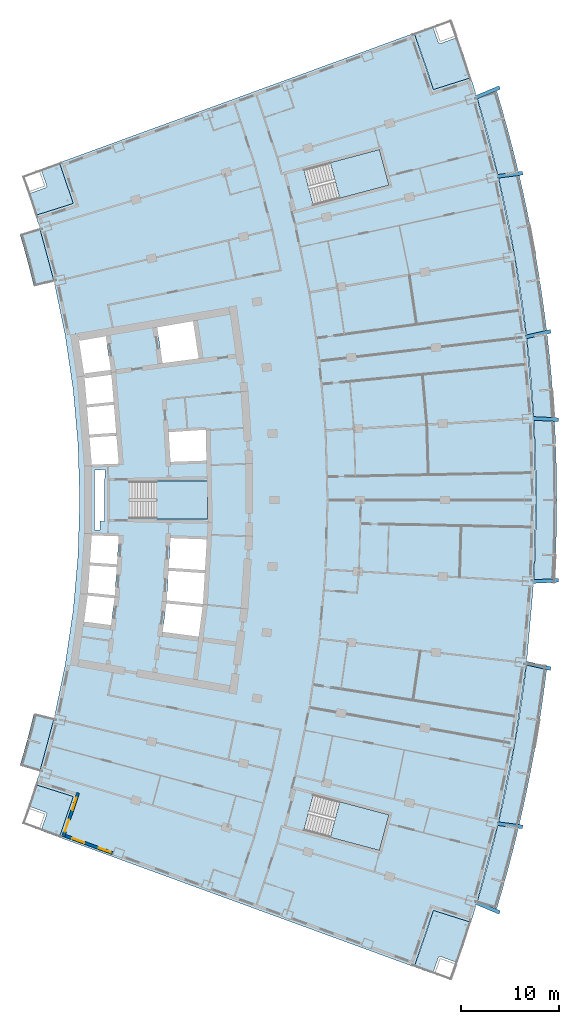
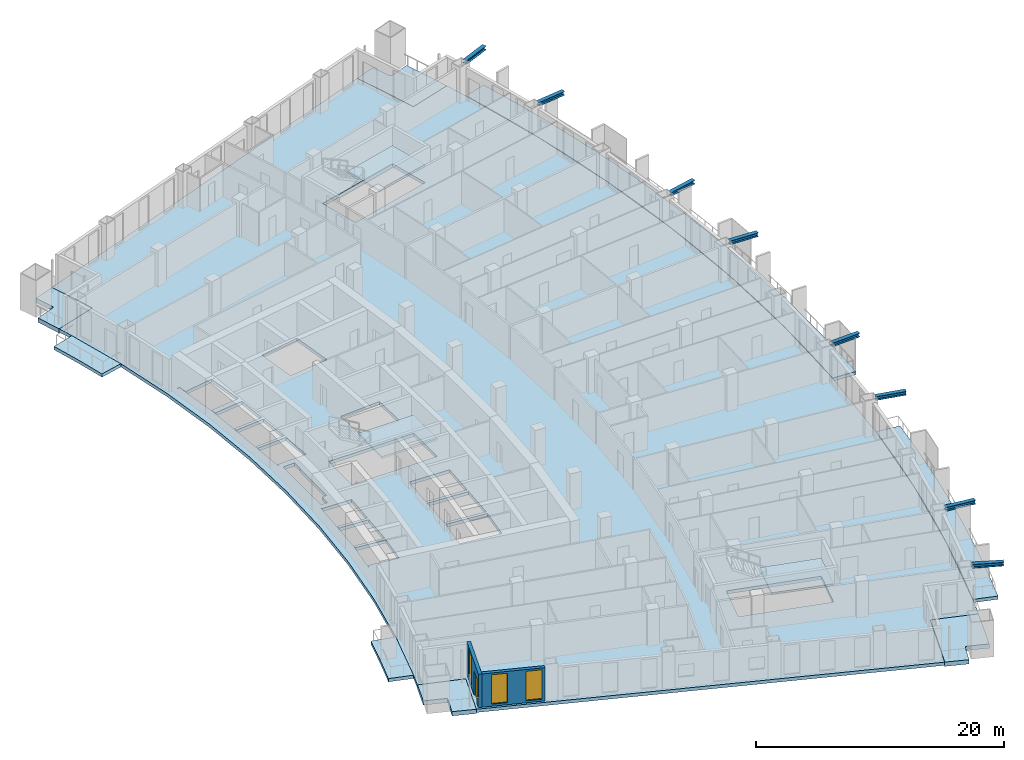
# One storey, part 12 of 25: 12 slabs, 8 members, 3 windows, 2 walls, 1 door, 4 openings, 3 elements without a shape of their own.
"""IFC4 building model written with IfcOpenShell, lengths in metres."""

from ifc_helpers import new_model, si_unit, direction, frame, frame_2d, origin, origin_2d, place, context, subcontext, project, spatial, polyline, rectangle, i_section, outline, extrude, material, layer, layer_set, material_profile, profile_set, type_object, element, fill, aggregate, save


model = new_model("IFC4")

# Units and contexts
model_context = context("Model", 3, precision=1e-05, world=origin(), true_north=direction((0.0, 1.0)))
body_context = subcontext(model_context, "Body", "Model", "MODEL_VIEW")
ifc_project = project(units=[si_unit("LENGTHUNIT", "METRE"), si_unit("AREAUNIT", "SQUARE_METRE"), si_unit("VOLUMEUNIT", "CUBIC_METRE"), si_unit("PLANEANGLEUNIT", "RADIAN"), si_unit("MASSUNIT", "GRAM", prefix="KILO")], contexts=[model_context])

# Site, building, storey
site_placement = place(None, origin())
site = spatial("IfcSite", under=ifc_project, at=site_placement, CompositionType="ELEMENT")
building_placement = place(site_placement, origin())
building = spatial("IfcBuilding", under=site, at=building_placement, Name="Alderwake Tower", CompositionType="ELEMENT")
storey_placement = place(building_placement, frame((0.0, 0.0, 86.0)))
storey = spatial("IfcBuildingStorey", under=building, at=storey_placement, Name="L20", CompositionType="ELEMENT", Elevation=86.0)

# Members
ifc_material_1 = material(Name="Steel ASTM A992 Grade 50", Category="steel")
ifc_material_profile = material_profile(ifc_material_1, i_section(OverallWidth=0.3740234375, OverallDepth=0.372314453125, WebThickness=0.016357421875, FlangeThickness=0.026123046875, at=origin_2d()), Name="W14X132")
ifc_profile_set = profile_set([ifc_material_profile], Name="Steel ASTM A992 Grade 50")
member_type = type_object("IfcMemberType", Name="Brace node stub W14X132", PredefinedType="MEMBER", material=ifc_profile_set)
for number, where, z_axis, x_axis, name in (
    (1, (56.31201171875, 20.068115234375, 3.393798828125), (0.921653127719, -0.388014834981, 0.0), (0.388014834981, 0.921653127719, 0.0), "Brace node stub BS.FR02-C5.896"),
    (2, (58.4697265625, 28.09814453125, 3.393798828125), (0.992005641611, -0.126193529994, 0.0), (0.126193529994, 0.992005641611, 0.0), "Brace node stub BS.FR03-C5.896"),
    (3, (61.356689453125, 44.42626953125, 3.393798828125), (0.975128223185, -0.221641486071, 0.0), (0.221641486071, 0.975128223185, 0.0), "Brace node stub BS.FR05-C5.896"),
):
    element("IfcMember", number, at=place(storey_placement, frame(where, z_axis=z_axis, x_axis=x_axis)), inside=storey, type_object=member_type, Name=name, PredefinedType="MEMBER", context=body_context, shape_type="SweptSolid", body=[
        extrude(i_section(OverallWidth=0.3740234375, OverallDepth=0.372314453125, WebThickness=0.016357421875, FlangeThickness=0.026123046875, at=origin_2d()), origin(), (0.0, 0.0, 1.0), 2.588623046875),
    ])
for number, where, z_axis, x_axis, name in (
    (4, (62.083251953125, 52.709228515625, 3.393798828125), (0.998824188175, 0.048479285432, 0.0), (-0.048479285432, 0.998824188175, 0.0), "Brace node stub BS.FR06-C5.896"),
    (5, (62.083251953125, 69.290771484375, 3.393798828125), (0.998824188175, -0.048479285432, 0.0), (0.048479285432, 0.998824188175, 0.0), "Brace node stub BS.FR08-C5.896"),
):
    element("IfcMember", number, at=place(storey_placement, frame(where, z_axis=z_axis, x_axis=x_axis)), inside=storey, type_object=member_type, Name=name, PredefinedType="MEMBER", context=body_context, shape_type="SweptSolid", body=[
        extrude(i_section(OverallWidth=0.3740234375, OverallDepth=0.372314453125, WebThickness=0.016357421875, FlangeThickness=0.026123046875, at=origin_2d()), origin(), (0.0, 0.0, 1.0), 2.58837890625),
    ])
for number, where, z_axis, x_axis, name in (
    (6, (61.356689453125, 77.57373046875, 3.393798828125), (0.975128223185, 0.221641486071, 0.0), (-0.221641486071, 0.975128223185, 0.0), "Brace node stub BS.FR09-C5.896"),
    (7, (58.4697265625, 93.90185546875, 3.393798828125), (0.992005641611, 0.126193529994, 0.0), (-0.126193529994, 0.992005641611, 0.0), "Brace node stub BS.FR11-C5.896"),
    (8, (56.31201171875, 101.931884765625, 3.393798828125), (0.921653127719, 0.388014834981, 0.0), (-0.388014834981, 0.921653127719, 0.0), "Brace node stub BS.FR12-C5.896"),
):
    element("IfcMember", number, at=place(storey_placement, frame(where, z_axis=z_axis, x_axis=x_axis)), inside=storey, type_object=member_type, Name=name, PredefinedType="MEMBER", context=body_context, shape_type="SweptSolid", body=[
        extrude(i_section(OverallWidth=0.3740234375, OverallDepth=0.372314453125, WebThickness=0.016357421875, FlangeThickness=0.026123046875, at=origin_2d()), origin(), (0.0, 0.0, 1.0), 2.588623046875),
    ])

# Slabs
ifc_material_2 = material(Name="Concrete C50/60", Category="concrete")
ifc_layer_1 = layer(ifc_material_2, 0.320068359375)
ifc_layer_set_1 = layer_set([ifc_layer_1], Name="Balcony slab 320")
slab_type_1 = type_object("IfcSlabType", Name="Balcony slab 320", PredefinedType="FLOOR", material=ifc_layer_set_1)
slab_1_placement = place(storey_placement, frame((0.0, 0.0, -0.320068359375)))
element("IfcSlab", 9, at=slab_1_placement, inside=storey, type_object=slab_type_1, Name="Balcony BF02", PredefinedType="FLOOR", context=body_context, shape_type="SweptSolid", body=[
    extrude(outline(polyline([(59.550048828125, 23.5029296875), (60.08203125, 25.5419921875), (60.584228515625, 27.58837890625), (61.056396484375, 29.64208984375), (61.498779296875, 31.702392578125), (61.910888671875, 33.76904296875), (62.29296875, 35.84130859375), (62.644775390625, 37.919189453125), (62.96630859375, 40.001708984375), (63.257080078125, 42.0888671875), (63.517578125, 44.179931640625), (61.431884765625, 44.42431640625), (61.17529296875, 42.363525390625), (60.888427734375, 40.306884765625), (60.57177734375, 38.25439453125), (60.22509765625, 36.20703125), (59.8486328125, 34.164794921875), (59.4423828125, 32.128173828125), (59.006591796875, 30.097900390625), (58.541015625, 28.073974609375), (58.046142578125, 26.05712890625), (57.52197265625, 24.0478515625), (56.968505859375, 22.04638671875), (56.385986328125, 20.052978515625), (58.397216796875, 19.44921875), (58.98828125, 21.4716796875), (59.550048828125, 23.5029296875)])), origin(), (0.0, 0.0, 1.0), 0.320068359375),
])
slab_2_placement = place(storey_placement, frame((0.0, 0.0, -0.320068359375)))
element("IfcSlab", 10, at=slab_2_placement, inside=storey, type_object=slab_type_1, Name="Balcony BF06", PredefinedType="FLOOR", context=body_context, shape_type="SweptSolid", body=[
    extrude(outline(polyline([(64.36181640625, 54.68017578125), (64.4384765625, 56.785888671875), (64.484619140625, 58.892822265625), (64.5, 61.0), (64.484619140625, 63.107177734375), (64.4384765625, 65.214111328125), (64.36181640625, 67.31982421875), (64.254150390625, 69.42431640625), (64.115966796875, 71.527099609375), (63.947265625, 73.627685546875), (63.747802734375, 75.725341796875), (63.517578125, 77.820068359375), (63.257080078125, 79.9111328125), (62.96630859375, 81.998291015625), (62.644775390625, 84.080810546875), (62.29296875, 86.15869140625), (61.910888671875, 88.23095703125), (61.498779296875, 90.297607421875), (61.056396484375, 92.35791015625), (60.584228515625, 94.41162109375), (60.08203125, 96.4580078125), (59.550048828125, 98.4970703125), (58.98828125, 100.5283203125), (58.397216796875, 102.55078125), (56.385986328125, 101.947021484375), (56.968505859375, 99.95361328125), (57.52197265625, 97.9521484375), (58.046142578125, 95.94287109375), (58.541015625, 93.926025390625), (59.006591796875, 91.902099609375), (59.4423828125, 89.871826171875), (59.8486328125, 87.835205078125), (60.22509765625, 85.79296875), (60.57177734375, 83.74560546875), (60.888427734375, 81.693115234375), (61.17529296875, 79.636474609375), (61.431884765625, 77.57568359375), (61.65869140625, 75.511474609375), (61.855224609375, 73.444091796875), (62.021484375, 71.3740234375), (62.15771484375, 69.302001953125), (62.263671875, 67.22802734375), (62.33935546875, 65.152587890625), (62.385009765625, 63.07666015625), (62.39990234375, 61.0), (62.385009765625, 58.92333984375), (62.33935546875, 56.847412109375), (62.263671875, 54.77197265625), (62.15771484375, 52.697998046875), (64.254150390625, 52.57568359375), (64.36181640625, 54.68017578125)])), origin(), (0.0, 0.0, 1.0), 0.320068359375),
])
slab_3_placement = place(storey_placement, frame((0.0, 0.0, -0.320068359375)))
element("IfcSlab", 11, at=slab_3_placement, inside=storey, type_object=slab_type_1, Name="Balcony BR02", PredefinedType="FLOOR", context=body_context, shape_type="SweptSolid", body=[
    extrude(outline(polyline([(9.93408203125, 33.999267578125), (11.945556640625, 33.395263671875), (13.3984375, 38.802734375), (11.35546875, 39.288330078125), (11.029052734375, 37.95849609375), (10.683349609375, 36.63330078125), (10.318359375, 35.3134765625), (9.93408203125, 33.999267578125)])), origin(), (0.0, 0.0, 1.0), 0.320068359375),
])
slab_4_placement = place(storey_placement, frame((0.0, 0.0, -0.320068359375)))
element("IfcSlab", 12, at=slab_4_placement, inside=storey, type_object=slab_type_1, Name="Balcony BR11", PredefinedType="FLOOR", context=body_context, shape_type="SweptSolid", body=[
    extrude(outline(polyline([(11.35546875, 82.711669921875), (13.3984375, 83.197265625), (11.945556640625, 88.604736328125), (9.93408203125, 88.000732421875), (10.318359375, 86.6865234375), (10.683349609375, 85.36669921875), (11.029052734375, 84.04150390625), (11.35546875, 82.711669921875)])), origin(), (0.0, 0.0, 1.0), 0.320068359375),
])
ifc_material_3 = material(Name="Concrete C50/60", Category="concrete")
ifc_layer_2 = layer(ifc_material_3, 0.320068359375)
ifc_layer_set_2 = layer_set([ifc_layer_2], Name="Concrete C50/60 post-tensioned flat plate 320")
slab_type_2 = type_object("IfcSlabType", Name="Concrete C50/60 post-tensioned flat plate 320", PredefinedType="FLOOR", material=ifc_layer_set_2)
slab_5_placement = place(storey_placement, frame((0.0, 0.0, -0.320068359375)))
element("IfcSlab", 13, at=slab_5_placement, inside=storey, type_object=slab_type_2, Name="Floor slab L20", PredefinedType="FLOOR", context=body_context, shape_type="SweptSolid", body=[
    extrude(outline(polyline([(11.533203125, 32.057373046875), (11.945556640625, 33.395263671875), (13.3984375, 38.802734375), (14.53369140625, 44.28564453125), (15.347412109375, 49.825439453125), (15.836669921875, 55.4033203125), (16.0, 61.0), (15.836669921875, 66.5966796875), (15.347412109375, 72.174560546875), (14.53369140625, 77.71435546875), (13.3984375, 83.197265625), (11.945556640625, 88.604736328125), (11.533203125, 89.942626953125), (15.34716796875, 91.1484375), (13.937255859375, 95.289794921875), (50.00927734375, 108.45703125), (51.96044921875, 102.7255859375), (55.774169921875, 103.931396484375), (56.385986328125, 101.947021484375), (58.541015625, 93.926025390625), (60.22509765625, 85.79296875), (61.431884765625, 77.57568359375), (62.15771484375, 69.302001953125), (62.39990234375, 61.0), (62.15771484375, 52.697998046875), (61.431884765625, 44.42431640625), (60.22509765625, 36.20703125), (58.541015625, 28.073974609375), (56.385986328125, 20.052978515625), (55.774169921875, 18.068603515625), (51.96044921875, 19.2744140625), (50.00927734375, 13.54296875), (13.937255859375, 26.710205078125), (15.34716796875, 30.8515625), (11.533203125, 32.057373046875)]), holes=[polyline([(16.84375, 51.279541015625), (16.8583984375, 51.4287109375), (16.873291015625, 51.577880859375), (19.574951171875, 51.31103515625), (19.76611328125, 54.161376953125), (17.0537109375, 54.34326171875), (17.06396484375, 54.492919921875), (17.073974609375, 54.642578125), (19.7861328125, 54.460693359375), (19.977294921875, 57.31103515625), (17.263916015625, 57.406982421875), (17.269287109375, 57.556884765625), (17.2392578125, 57.55810546875), (17.033935546875, 54.494873046875), (16.82861328125, 51.431640625), (16.82861328125, 51.431640625), (16.41015625, 48.39013671875), (16.43994140625, 48.38623046875), (16.472412109375, 48.63427734375), (19.18017578125, 48.280029296875), (19.545166015625, 51.012451171875), (16.84375, 51.279541015625)]), polyline([(29.0, 62.875), (21.050048828125, 62.875), (21.050048828125, 59.125), (29.0, 59.125), (29.0, 62.875)]), polyline([(19.738525390625, 67.5361328125), (17.02587890625, 67.354248046875), (17.015869140625, 67.50390625), (17.005859375, 67.653564453125), (19.7138671875, 67.835205078125), (19.47802734375, 70.679443359375), (16.777099609375, 70.41259765625), (16.76220703125, 70.561767578125), (16.74755859375, 70.7109375), (19.453125, 70.978515625), (19.2255859375, 73.725830078125), (16.541015625, 73.374755859375), (16.508544921875, 73.62255859375), (16.47607421875, 73.87060546875), (19.16796875, 74.22265625), (18.656982421875, 77.6376953125), (18.90283203125, 77.674560546875), (18.900146484375, 77.690673828125), (15.96826171875, 77.183837890625), (15.836669921875, 77.94482421875), (15.58544921875, 77.900390625), (15.586181640625, 77.896484375), (15.8154296875, 77.931884765625), (16.478515625, 73.61865234375), (16.47900390625, 73.61376953125), (16.732421875, 70.558837890625), (16.98583984375, 67.501953125), (17.239501953125, 64.4443359375), (17.239501953125, 64.44189453125), (17.269287109375, 64.443115234375), (17.263916015625, 64.593017578125), (19.974609375, 64.68896484375), (19.738525390625, 67.5361328125)]), polyline([(47.436279296875, 28.996826171875), (39.754150390625, 31.043212890625), (38.7890625, 27.41943359375), (46.47119140625, 25.373291015625), (47.436279296875, 28.996826171875)]), polyline([(24.82470703125, 50.49072265625), (24.8291015625, 50.534423828125), (24.825439453125, 50.534912109375), (24.43212890625, 47.59326171875), (28.095703125, 47.114013671875), (28.497802734375, 50.127685546875), (24.82470703125, 50.49072265625)]), polyline([(25.031005859375, 53.808349609375), (24.84521484375, 50.735595703125), (24.848876953125, 50.7353515625), (24.854248046875, 50.789306640625), (28.5341796875, 50.42578125), (28.719970703125, 53.56103515625), (25.031005859375, 53.808349609375)]), polyline([(28.92333984375, 56.994384765625), (25.2314453125, 57.125), (25.049072265625, 54.10791015625), (28.737548828125, 53.860595703125), (28.92333984375, 56.994384765625)]), polyline([(28.819091796875, 68.091552734375), (28.815673828125, 68.144775390625), (25.05126953125, 67.892333984375), (25.232177734375, 64.875), (28.887451171875, 65.00439453125), (28.819091796875, 68.091552734375)]), polyline([(28.09619140625, 75.390380859375), (27.523193359375, 79.181396484375), (23.877685546875, 78.551025390625), (24.427001953125, 74.915283203125), (24.368896484375, 74.90673828125), (24.36962890625, 74.90283203125), (28.09619140625, 75.390380859375)]), polyline([(46.47119140625, 96.626708984375), (38.7890625, 94.58056640625), (39.754150390625, 90.956787109375), (47.436279296875, 93.003173828125), (46.47119140625, 96.626708984375)]), polyline([(17.489501953125, 64.050537109375), (17.4892578125, 57.949462890625), (18.065673828125, 57.928955078125), (18.090576171875, 58.84326171875), (18.544189453125, 58.8310546875), (18.529296875, 58.8681640625), (18.5234375, 58.89208984375), (18.5185546875, 58.94091796875), (18.5185546875, 63.060302734375), (18.5234375, 63.109130859375), (18.53759765625, 63.156005859375), (18.560791015625, 63.19921875), (18.588623046875, 63.233642578125), (18.565185546875, 64.088623046875), (17.489501953125, 64.050537109375)])]), origin(), (0.0, 0.0, 1.0), 0.320068359375),
])

# Stair, slab
ifc_material_4 = material(Name="Concrete C40/50", Category="concrete")
stair_type = type_object("IfcStairType", Name="Core exit stair", PredefinedType="HALF_TURN_STAIR", material=ifc_material_4)
stair_1_placement = place(storey_placement, origin())
stair_1 = element("IfcStair", 14, at=stair_1_placement, inside=storey, type_object=stair_type, Name="L20 Exit Stair B", PredefinedType="HALF_TURN_STAIR")
ifc_material_5 = material(Name="Concrete C40/50", Category="concrete")
ifc_layer_3 = layer(ifc_material_5, 0.199951171875)
ifc_layer_set_3 = layer_set([ifc_layer_3], Name="Core stair landing 200")
slab_type_3 = type_object("IfcSlabType", Name="Core stair landing 200", PredefinedType="LANDING", material=ifc_layer_set_3)
slab_6_placement = place(storey_placement, frame((0.0, 0.0, 1.60009765625)))
slab_6 = element("IfcSlab", 15, at=slab_6_placement, type_object=slab_type_3, Name="ST-B landing 1", PredefinedType="LANDING", context=body_context, shape_type="SweptSolid", body=[
    extrude(outline(polyline([(23.830078125, 59.074951171875), (29.0, 59.074951171875), (29.0, 62.925048828125), (23.830078125, 62.925048828125), (23.830078125, 59.074951171875)])), origin(), (0.0, 0.0, 1.0), 0.199951171875),
])
aggregate(stair_1, [slab_6])

stair_2_placement = place(storey_placement, origin())
stair_2 = element("IfcStair", 16, at=stair_2_placement, inside=storey, type_object=stair_type, Name="L20 Exit Stair A", PredefinedType="HALF_TURN_STAIR")
slab_7_placement = place(storey_placement, frame((0.0, 0.0, 1.60009765625)))
slab_7 = element("IfcSlab", 17, at=slab_7_placement, type_object=slab_type_3, Name="ST-A landing 1", PredefinedType="LANDING", context=body_context, shape_type="SweptSolid", body=[
    extrude(outline(polyline([(42.440673828125, 91.67236328125), (47.436279296875, 93.003173828125), (46.47119140625, 96.626708984375), (41.475341796875, 95.296142578125), (42.440673828125, 91.67236328125)])), origin(), (0.0, 0.0, 1.0), 0.199951171875),
])
aggregate(stair_2, [slab_7])

stair_3_placement = place(storey_placement, origin())
stair_3 = element("IfcStair", 18, at=stair_3_placement, inside=storey, type_object=stair_type, Name="L20 Exit Stair C", PredefinedType="HALF_TURN_STAIR")
slab_8_placement = place(storey_placement, frame((0.0, 0.0, 1.60009765625)))
slab_8 = element("IfcSlab", 19, at=slab_8_placement, type_object=slab_type_3, Name="ST-C landing 1", PredefinedType="LANDING", context=body_context, shape_type="SweptSolid", body=[
    extrude(outline(polyline([(41.475341796875, 26.703857421875), (46.47119140625, 25.373291015625), (47.436279296875, 28.996826171875), (42.4404296875, 30.32763671875), (41.475341796875, 26.703857421875)])), origin(), (0.0, 0.0, 1.0), 0.199951171875),
])
aggregate(stair_3, [slab_8])

# Slabs
ifc_material_6 = material(Name="Concrete C50/60", Category="concrete")
ifc_layer_4 = layer(ifc_material_6, 0.419921875)
ifc_layer_set_4 = layer_set([ifc_layer_4], Name="Terrace slab 420")
slab_type_4 = type_object("IfcSlabType", Name="Terrace slab 420", PredefinedType="FLOOR", material=ifc_layer_set_4)
slab_9_placement = place(storey_placement, frame((0.0, 0.0, -0.419921875)))
element("IfcSlab", 20, at=slab_9_placement, inside=storey, type_object=slab_type_4, Name="Corner terrace FS", PredefinedType="FLOOR", context=body_context, shape_type="SweptSolid", body=[
    extrude(outline(polyline([(54.464599609375, 14.127197265625), (54.406494140625, 13.964599609375), (52.6689453125, 14.586181640625), (52.65478515625, 14.590576171875), (52.640380859375, 14.593505859375), (52.625732421875, 14.5947265625), (52.611083984375, 14.5947265625), (52.596435546875, 14.593505859375), (52.58203125, 14.590576171875), (52.56787109375, 14.586181640625), (52.55419921875, 14.58056640625), (52.541259765625, 14.573486328125), (52.529052734375, 14.5654296875), (52.517578125, 14.55615234375), (52.50732421875, 14.545654296875), (52.498046875, 14.5341796875), (52.48974609375, 14.522216796875), (52.48291015625, 14.509033203125), (52.477294921875, 14.49560546875), (51.904296875, 12.89501953125), (51.900146484375, 12.880859375), (51.897216796875, 12.866455078125), (51.89599609375, 12.854248046875), (50.00927734375, 13.54296875), (50.6875, 15.44384765625), (51.337890625, 17.3544921875), (51.96044921875, 19.2744140625), (55.774169921875, 18.068603515625), (55.1337890625, 16.093017578125), (54.464599609375, 14.127197265625)])), origin(), (0.0, 0.0, 1.0), 0.419921875),
])
slab_10_placement = place(storey_placement, frame((0.0, 0.0, -0.419921875)))
element("IfcSlab", 21, at=slab_10_placement, inside=storey, type_object=slab_type_4, Name="Corner terrace RS", PredefinedType="FLOOR", context=body_context, shape_type="SweptSolid", body=[
    extrude(outline(polyline([(13.937255859375, 26.710205078125), (12.04931640625, 27.3994140625), (12.0537109375, 27.40380859375), (12.06298828125, 27.4150390625), (12.071044921875, 27.427490234375), (12.077880859375, 27.4404296875), (12.08349609375, 27.4541015625), (12.651611328125, 29.056396484375), (12.65576171875, 29.0703125), (12.65869140625, 29.084716796875), (12.66015625, 29.099609375), (12.659912109375, 29.1142578125), (12.658447265625, 29.12890625), (12.655517578125, 29.143310546875), (12.6513671875, 29.157470703125), (12.6455078125, 29.1708984375), (12.638671875, 29.183837890625), (12.63037109375, 29.196044921875), (12.62109375, 29.20751953125), (12.610595703125, 29.218017578125), (12.59912109375, 29.227294921875), (12.5869140625, 29.2353515625), (12.573974609375, 29.2421875), (12.560302734375, 29.247802734375), (10.8095703125, 29.868408203125), (11.101318359375, 30.7255859375), (11.533203125, 32.057373046875), (15.34716796875, 30.8515625), (13.937255859375, 26.710205078125)])), origin(), (0.0, 0.0, 1.0), 0.419921875),
])
slab_11_placement = place(storey_placement, frame((0.0, 0.0, -0.419921875)))
element("IfcSlab", 22, at=slab_11_placement, inside=storey, type_object=slab_type_4, Name="Corner terrace FN", PredefinedType="FLOOR", context=body_context, shape_type="SweptSolid", body=[
    extrude(outline(polyline([(54.464599609375, 107.872802734375), (55.1337890625, 105.906982421875), (55.774169921875, 103.931396484375), (51.96044921875, 102.7255859375), (51.337890625, 104.6455078125), (50.6875, 106.55615234375), (50.00927734375, 108.45703125), (51.89599609375, 109.145751953125), (51.897216796875, 109.133544921875), (51.900146484375, 109.119140625), (51.904296875, 109.10498046875), (52.477294921875, 107.50439453125), (52.48291015625, 107.490966796875), (52.48974609375, 107.477783203125), (52.498046875, 107.4658203125), (52.50732421875, 107.454345703125), (52.517578125, 107.44384765625), (52.529052734375, 107.4345703125), (52.541259765625, 107.426513671875), (52.55419921875, 107.41943359375), (52.56787109375, 107.413818359375), (52.58203125, 107.409423828125), (52.596435546875, 107.406494140625), (52.611083984375, 107.4052734375), (52.625732421875, 107.4052734375), (52.640380859375, 107.406494140625), (52.65478515625, 107.409423828125), (52.6689453125, 107.413818359375), (54.406494140625, 108.035400390625), (54.464599609375, 107.872802734375)])), origin(), (0.0, 0.0, 1.0), 0.419921875),
])
slab_12_placement = place(storey_placement, frame((0.0, 0.0, -0.419921875)))
element("IfcSlab", 23, at=slab_12_placement, inside=storey, type_object=slab_type_4, Name="Corner terrace RN", PredefinedType="FLOOR", context=body_context, shape_type="SweptSolid", body=[
    extrude(outline(polyline([(10.8095703125, 92.131591796875), (12.560302734375, 92.752197265625), (12.573974609375, 92.7578125), (12.5869140625, 92.7646484375), (12.59912109375, 92.772705078125), (12.610595703125, 92.781982421875), (12.62109375, 92.79248046875), (12.63037109375, 92.803955078125), (12.638671875, 92.816162109375), (12.6455078125, 92.8291015625), (12.6513671875, 92.842529296875), (12.655517578125, 92.856689453125), (12.658447265625, 92.87109375), (12.659912109375, 92.8857421875), (12.66015625, 92.900390625), (12.65869140625, 92.915283203125), (12.65576171875, 92.9296875), (12.651611328125, 92.943603515625), (12.08349609375, 94.5458984375), (12.077880859375, 94.5595703125), (12.071044921875, 94.572509765625), (12.06298828125, 94.5849609375), (12.0537109375, 94.59619140625), (12.04931640625, 94.6005859375), (13.937255859375, 95.289794921875), (15.34716796875, 91.1484375), (11.533203125, 89.942626953125), (11.101318359375, 91.2744140625), (10.8095703125, 92.131591796875)])), origin(), (0.0, 0.0, 1.0), 0.419921875),
])

# Wall, openings, door, window
ifc_material_7 = material(Name="Bronze metal cladding on lightweight framing")
ifc_layer_5 = layer(ifc_material_7, 0.300048828125)
ifc_layer_set_5 = layer_set([ifc_layer_5], Name="External wall EW2 bronze metal cladding")
wall_type = type_object("IfcWallType", Name="External wall EW2 bronze metal cladding", PredefinedType="SOLIDWALL", material=ifc_layer_set_5)
wall_1_placement = place(storey_placement, frame((15.83740234375, 31.220703125, 0.0), z_axis=(0.0, 0.0, 1.0), x_axis=(-0.32041006121, -0.947278941324, 0.0)))
wall_1 = element("IfcWall", 24, at=wall_1_placement, inside=storey, type_object=wall_type, Name="External wall 3", PredefinedType="SOLIDWALL", context=body_context, shape_type="SweptSolid", body=[
    extrude(rectangle(XDim=4.68994140625, YDim=0.300048828125, at=frame_2d((2.344970703125, 0.0))), origin(), (0.0, 0.0, 1.0), 3.280029296875),
])
opening_1_placement = place(wall_1_placement, frame((0.5224609375, 0.0, 0.199951171875)))
opening_1 = element("IfcOpeningElement", 25, at=opening_1_placement, cuts=wall_1, Name="Opening W1", PredefinedType="OPENING", context=body_context, shape_type="SweptSolid", body=[
    extrude(rectangle(XDim=1.300048828125, YDim=2.89990234375, at=frame_2d((0.64990234375, 1.449951171875))), frame((0.0, 0.159912109375, 0.0), z_axis=(0.0, -1.0, 0.0), x_axis=(1.0, 0.0, 0.0)), (0.0, 0.0, 1.0), 0.320068359375),
])
opening_2_placement = place(wall_1_placement, frame((2.867431640625, 0.0, 0.0)))
opening_2 = element("IfcOpeningElement", 26, at=opening_2_placement, cuts=wall_1, Name="Opening D01", PredefinedType="OPENING", context=body_context, shape_type="SweptSolid", body=[
    extrude(rectangle(XDim=1.300048828125, YDim=2.39990234375, at=frame_2d((0.64990234375, 1.199951171875))), frame((0.0, 0.159912109375, 0.0), z_axis=(0.0, -1.0, 0.0), x_axis=(1.0, 0.0, 0.0)), (0.0, 0.0, 1.0), 0.320068359375),
])
ifc_material_8 = material(Name="Bronze tinted glass in aluminium frame", Category="aluminium")
door_type = type_object("IfcDoorType", Name="Balcony door BD sliding", OperationType="SLIDING_TO_LEFT", PredefinedType="DOOR", material=ifc_material_8)
door_placement = place(opening_2_placement, origin())
door = element("IfcDoor", 27, at=door_placement, inside=storey, type_object=door_type, Name="Door D01", OperationType="SLIDING_TO_LEFT", OverallHeight=2.39990234375, OverallWidth=1.300048828125, PredefinedType="DOOR", context=body_context, shape_type="SweptSolid", body=[
    extrude(rectangle(XDim=1.300048828125, YDim=2.39990234375, at=frame_2d((0.64990234375, 1.199951171875))), frame((0.0, 0.02490234375, 0.0), z_axis=(0.0, -1.0, 0.0), x_axis=(1.0, 0.0, 0.0)), (0.0, 0.0, 1.0), 0.050048828125),
])
fill(opening_2, door)
ifc_material_9 = material(Name="Bronze tinted glass in aluminium frame", Category="aluminium")
window_type = type_object("IfcWindowType", Name="Window W1 tall fixed and vent", PartitioningType="DOUBLE_PANEL_VERTICAL", PredefinedType="WINDOW", material=ifc_material_9)
window_1_placement = place(opening_1_placement, origin())
window_1 = element("IfcWindow", 28, at=window_1_placement, inside=storey, type_object=window_type, Name="Window W1 tall fixed and vent", OverallHeight=2.89990234375, OverallWidth=1.300048828125, PartitioningType="DOUBLE_PANEL_VERTICAL", PredefinedType="WINDOW", context=body_context, shape_type="SweptSolid", body=[
    extrude(rectangle(XDim=1.300048828125, YDim=2.89990234375, at=frame_2d((0.64990234375, 1.449951171875))), frame((0.0, 0.030029296875, 0.0), z_axis=(0.0, -1.0, 0.0), x_axis=(1.0, 0.0, 0.0)), (0.0, 0.0, 1.0), 0.06005859375),
])
fill(opening_1, window_1)

# Wall, openings, windows
wall_2_placement = place(storey_placement, frame((14.523681640625, 26.86865234375, 0.0), z_axis=(0.0, 0.0, 1.0), x_axis=(0.939378067131, -0.342883138974, 0.0)))
wall_2 = element("IfcWall", 29, at=wall_2_placement, inside=storey, type_object=wall_type, Name="External wall 4", PredefinedType="SOLIDWALL", context=body_context, shape_type="SweptSolid", body=[
    extrude(rectangle(XDim=5.17431640625, YDim=0.300048828125, at=frame_2d((2.587158203125, 0.0))), origin(), (0.0, 0.0, 1.0), 3.280029296875),
])
opening_3_placement = place(wall_2_placement, frame((0.775390625, 0.0, 0.199951171875)))
opening_3 = element("IfcOpeningElement", 30, at=opening_3_placement, cuts=wall_2, Name="Opening W1", PredefinedType="OPENING", context=body_context, shape_type="SweptSolid", body=[
    extrude(rectangle(XDim=1.300048828125, YDim=2.89990234375, at=frame_2d((0.64990234375, 1.449951171875))), frame((0.0, 0.159912109375, 0.0), z_axis=(0.0, -1.0, 0.0), x_axis=(1.0, 0.0, 0.0)), (0.0, 0.0, 1.0), 0.320068359375),
])
opening_4_placement = place(wall_2_placement, frame((3.626220703125, 0.0, 0.199951171875)))
opening_4 = element("IfcOpeningElement", 31, at=opening_4_placement, cuts=wall_2, Name="Opening W1", PredefinedType="OPENING", context=body_context, shape_type="SweptSolid", body=[
    extrude(rectangle(XDim=1.300048828125, YDim=2.89990234375, at=frame_2d((0.64990234375, 1.449951171875))), frame((0.0, 0.159912109375, 0.0), z_axis=(0.0, -1.0, 0.0), x_axis=(1.0, 0.0, 0.0)), (0.0, 0.0, 1.0), 0.320068359375),
])
window_2_placement = place(opening_3_placement, origin())
window_2 = element("IfcWindow", 32, at=window_2_placement, inside=storey, type_object=window_type, Name="Window W1 tall fixed and vent", OverallHeight=2.89990234375, OverallWidth=1.300048828125, PartitioningType="DOUBLE_PANEL_VERTICAL", PredefinedType="WINDOW", context=body_context, shape_type="SweptSolid", body=[
    extrude(rectangle(XDim=1.300048828125, YDim=2.89990234375, at=frame_2d((0.64990234375, 1.449951171875))), frame((0.0, 0.030029296875, 0.0), z_axis=(0.0, -1.0, 0.0), x_axis=(1.0, 0.0, 0.0)), (0.0, 0.0, 1.0), 0.06005859375),
])
fill(opening_3, window_2)
window_3_placement = place(opening_4_placement, origin())
window_3 = element("IfcWindow", 33, at=window_3_placement, inside=storey, type_object=window_type, Name="Window W1 tall fixed and vent", OverallHeight=2.89990234375, OverallWidth=1.300048828125, PartitioningType="DOUBLE_PANEL_VERTICAL", PredefinedType="WINDOW", context=body_context, shape_type="SweptSolid", body=[
    extrude(rectangle(XDim=1.300048828125, YDim=2.89990234375, at=frame_2d((0.64990234375, 1.449951171875))), frame((0.0, 0.030029296875, 0.0), z_axis=(0.0, -1.0, 0.0), x_axis=(1.0, 0.0, 0.0)), (0.0, 0.0, 1.0), 0.06005859375),
])
fill(opening_4, window_3)

save(model, "model.ifc")
